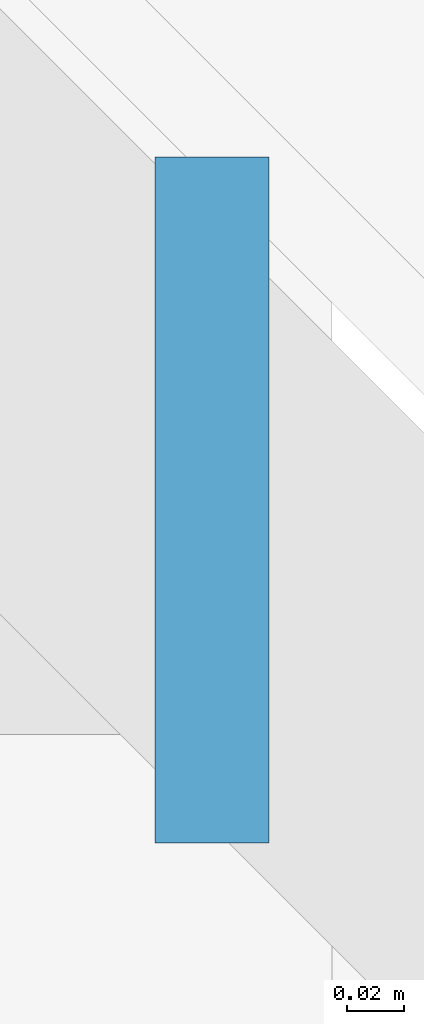
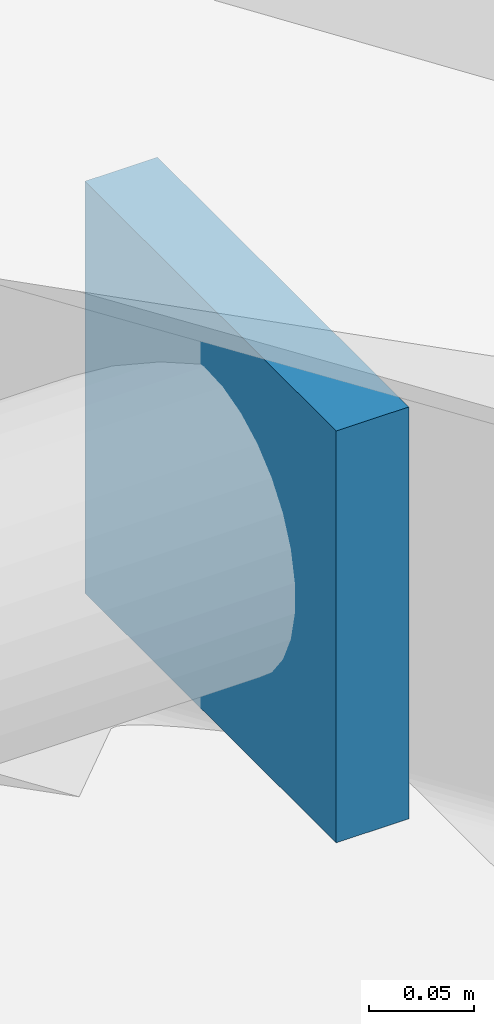
# One storey, part 47 of 54: 1 discrete accessory.
"""IFC4 building model written with IfcOpenShell, lengths in metres."""

from ifc_helpers import new_model, si_unit, direction, frame, origin, origin_2d, place, context, subcontext, project, spatial, rectangle, extrude, material, type_object, element, save


model = new_model("IFC4")

# Units and contexts
model_context = context("Model", 3, precision=1e-05, world=origin(), true_north=direction((0.0, 1.0)))
body_context = subcontext(model_context, "Body", "Model", "MODEL_VIEW")
ifc_project = project(units=[si_unit("LENGTHUNIT", "METRE"), si_unit("AREAUNIT", "SQUARE_METRE"), si_unit("VOLUMEUNIT", "CUBIC_METRE"), si_unit("PLANEANGLEUNIT", "RADIAN"), si_unit("MASSUNIT", "GRAM", prefix="KILO")], contexts=[model_context])

# Site, building, storey
site_placement = place(None, origin())
site = spatial("IfcSite", under=ifc_project, at=site_placement, CompositionType="ELEMENT")
building_placement = place(site_placement, origin())
building = spatial("IfcBuilding", under=site, at=building_placement, Name="Kazehaya Institute of Natural Sciences", CompositionType="ELEMENT")
storey_placement = place(building_placement, frame((0.0, 0.0, 10.43994140625)))
storey = spatial("IfcBuildingStorey", under=building, at=storey_placement, Name="L02", CompositionType="ELEMENT", Elevation=10.43994140625)

# Discrete accessory
ifc_material = material(Name="Structural steel SN490B", Category="steel")
discrete_accessory_type = type_object("IfcDiscreteAccessoryType", Name="ACC-STL-CAP", PredefinedType="BRACKET", material=ifc_material)
discrete_accessory_placement = place(storey_placement, frame((160.80810546875, 8.60009765625, 0.00927734375), z_axis=(0.0, 0.0, 1.0), x_axis=(1.0, 0.0, 0.0)))
element("IfcDiscreteAccessory", 1, at=discrete_accessory_placement, inside=storey, type_object=discrete_accessory_type, Name="ROOF-VOL1-FOYER hollow purlin welded end cap 3 E", PredefinedType="BRACKET", context=body_context, shape_type="SweptSolid", body=[
    extrude(rectangle(XDim=0.0400390625, YDim=0.239990234375, at=origin_2d()), origin(), (0.0, 0.0, 1.0), 0.239990234375),
])

save(model, "model.ifc")
